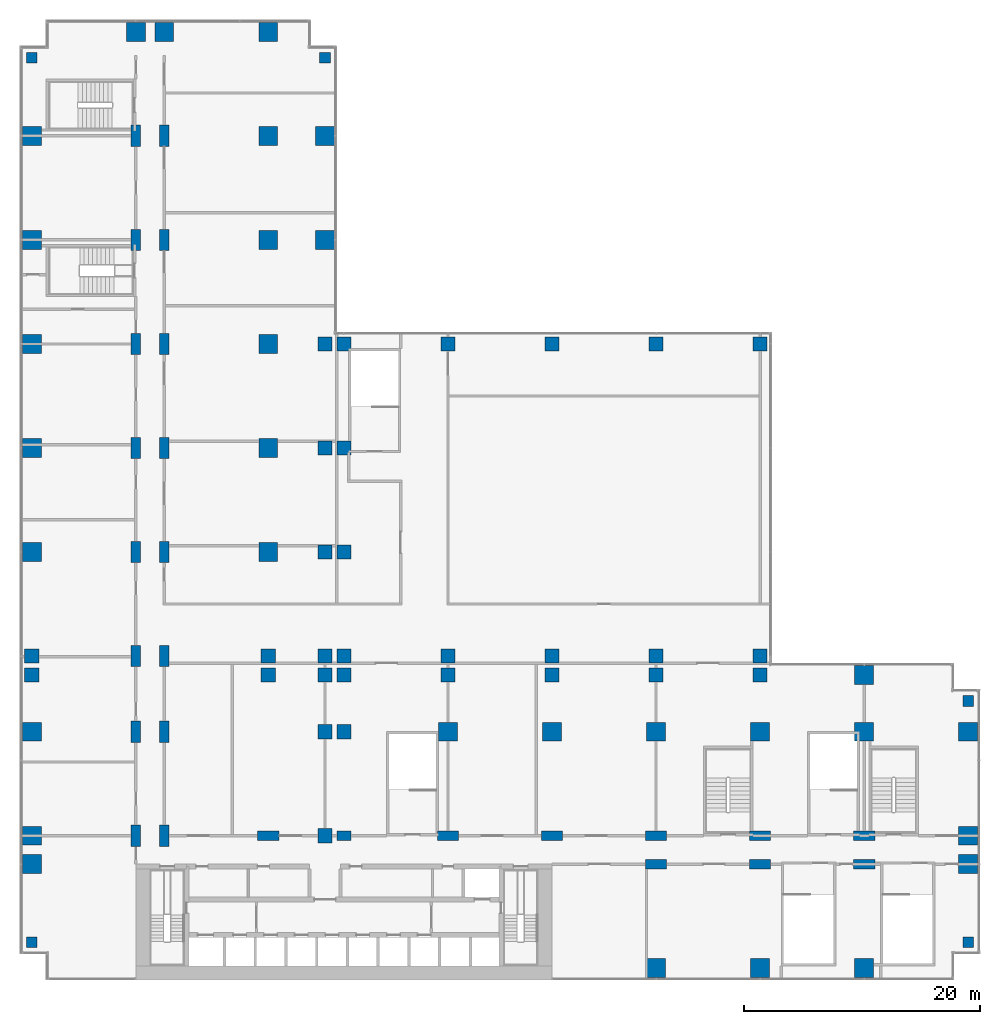
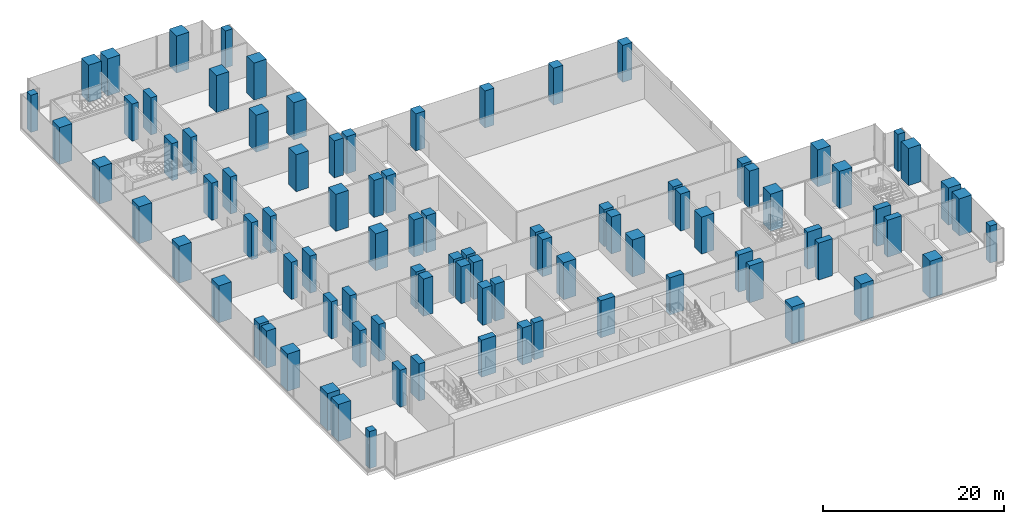
# One storey, part 1 of 27: 90 columns.
"""IFC4 building model written with IfcOpenShell, lengths in metres."""

from ifc_helpers import new_model, si_unit, direction, frame, origin, origin_2d, place, context, subcontext, project, spatial, rectangle, extrude, material, material_profile, profile_set, type_object, element, save


model = new_model("IFC4")

# Units and contexts
model_context = context("Model", 3, precision=1e-05, world=origin(), true_north=direction((0.0, 1.0)))
body_context = subcontext(model_context, "Body", "Model", "MODEL_VIEW")
ifc_project = project(units=[si_unit("LENGTHUNIT", "METRE"), si_unit("AREAUNIT", "SQUARE_METRE"), si_unit("VOLUMEUNIT", "CUBIC_METRE"), si_unit("PLANEANGLEUNIT", "RADIAN"), si_unit("MASSUNIT", "GRAM", prefix="KILO")], contexts=[model_context])

# Site, building, storey
site_placement = place(None, origin())
site = spatial("IfcSite", under=ifc_project, at=site_placement, CompositionType="ELEMENT")
building_placement = place(site_placement, origin())
building = spatial("IfcBuilding", under=site, at=building_placement, Name="Kemantara Hotel Tower", CompositionType="ELEMENT")
storey_placement = place(building_placement, frame((0.0, 0.0, 29.0)))
storey = spatial("IfcBuildingStorey", under=building, at=storey_placement, Name="L05", CompositionType="ELEMENT", Elevation=29.0)

# Columns
ifc_material = material(Name="Concrete fc 70 MPa", Category="concrete")
ifc_material_profile_1 = material_profile(ifc_material, rectangle(XDim=1.199951171875, YDim=1.199951171875, at=origin_2d()), Name="RC 1200X1200")
ifc_profile_set_1 = profile_set([ifc_material_profile_1], Name="Concrete fc 70 MPa")
column_type_1 = type_object("IfcColumnType", Name="RC COLUMN 1200X1200 FC70", PredefinedType="COLUMN", material=ifc_profile_set_1)
for number, where, z_axis, x_axis, name in (
    (1, (1.0, 25.800048828125, 0.0), (0.0, 0.0, 1.0), (1.0, 0.0, 0.0), "COLUMN 1/CA L05"),
    (2, (1.0, 27.39990234375, 0.0), (0.0, 0.0, 1.0), (1.0, 0.0, 0.0), "COLUMN 1/D L05"),
    (3, (21.0, 25.800048828125, 0.0), (0.0, 0.0, 1.0), (1.0, 0.0, 0.0), "COLUMN 3/CA L05"),
    (4, (21.0, 27.39990234375, 0.0), (0.0, 0.0, 1.0), (1.0, 0.0, 0.0), "COLUMN 3/D L05"),
    (5, (25.800048828125, 12.199951171875, 0.0), (0.0, 0.0, 1.0), (1.0, 0.0, 0.0), "COLUMN 3A/BA L05"),
    (6, (25.800048828125, 21.0, 0.0), (0.0, 0.0, 1.0), (1.0, 0.0, 0.0), "COLUMN 3A/C L05"),
    (7, (25.800048828125, 25.800048828125, 0.0), (0.0, 0.0, 1.0), (1.0, 0.0, 0.0), "COLUMN 3A/CA L05"),
    (8, (25.800048828125, 27.39990234375, 0.0), (0.0, 0.0, 1.0), (1.0, 0.0, 0.0), "COLUMN 3A/D L05"),
    (9, (25.800048828125, 36.199951171875, 0.0), (0.0, 0.0, 1.0), (1.0, 0.0, 0.0), "COLUMN 3A/E L05"),
    (10, (25.800048828125, 45.0, 0.0), (0.0, 0.0, 1.0), (1.0, 0.0, 0.0), "COLUMN 3A/F L05"),
    (11, (25.800048828125, 53.800048828125, 0.0), (0.0, 0.0, 1.0), (1.0, 0.0, 0.0), "COLUMN 3A/G L05"),
    (12, (27.39990234375, 21.0, 0.0), (0.0, 0.0, 1.0), (1.0, 0.0, 0.0), "COLUMN 4/C L05"),
    (13, (27.39990234375, 25.800048828125, 0.0), (0.0, 0.0, 1.0), (1.0, 0.0, 0.0), "COLUMN 4/CA L05"),
    (14, (36.199951171875, 25.800048828125, 0.0), (0.0, 0.0, 1.0), (1.0, 0.0, 0.0), "COLUMN 5/CA L05"),
    (15, (45.0, 25.800048828125, 0.0), (0.0, 0.0, 1.0), (1.0, 0.0, 0.0), "COLUMN 6/CA L05"),
    (16, (53.800048828125, 25.800048828125, 0.0), (0.0, 0.0, 1.0), (1.0, 0.0, 0.0), "COLUMN 7/CA L05"),
    (17, (62.60009765625, 25.800048828125, 0.0), (0.0, 0.0, 1.0), (1.0, 0.0, 0.0), "COLUMN 8/CA L05"),
    (18, (27.39990234375, 27.39990234375, 0.0), (0.0, 0.0, 1.0), (1.0, 0.0, 0.0), "COLUMN 4/D L05"),
    (19, (27.39990234375, 36.199951171875, 0.0), (0.0, 0.0, 1.0), (1.0, 0.0, 0.0), "COLUMN 4/E L05"),
    (20, (27.39990234375, 45.0, 0.0), (0.0, 0.0, 1.0), (1.0, 0.0, 0.0), "COLUMN 4/F L05"),
    (21, (27.39990234375, 53.800048828125, 0.0), (0.0, 0.0, 1.0), (1.0, 0.0, 0.0), "COLUMN 4/G L05"),
    (22, (36.199951171875, 27.39990234375, 0.0), (0.0, 0.0, 1.0), (1.0, 0.0, 0.0), "COLUMN 5/D L05"),
    (23, (36.199951171875, 53.800048828125, 0.0), (0.0, 0.0, 1.0), (1.0, 0.0, 0.0), "COLUMN 5/G L05"),
    (24, (45.0, 27.39990234375, 0.0), (0.0, 0.0, 1.0), (1.0, 0.0, 0.0), "COLUMN 6/D L05"),
    (25, (45.0, 53.800048828125, 0.0), (0.0, 0.0, 1.0), (1.0, 0.0, 0.0), "COLUMN 6/G L05"),
    (26, (53.800048828125, 27.39990234375, 0.0), (0.0, 0.0, 1.0), (1.0, 0.0, 0.0), "COLUMN 7/D L05"),
    (27, (53.800048828125, 53.800048828125, 0.0), (0.0, 0.0, 1.0), (1.0, 0.0, 0.0), "COLUMN 7/G L05"),
    (28, (62.60009765625, 27.39990234375, 0.0), (0.0, 0.0, 1.0), (1.0, 0.0, 0.0), "COLUMN 8/D L05"),
    (29, (62.60009765625, 53.800048828125, 0.0), (0.0, 0.0, 1.0), (1.0, 0.0, 0.0), "COLUMN 8/G L05"),
):
    element("IfcColumn", number, at=place(storey_placement, frame(where, z_axis=z_axis, x_axis=x_axis)), inside=storey, type_object=column_type_1, Name=name, PredefinedType="COLUMN", context=body_context, shape_type="SweptSolid", body=[
        extrude(rectangle(XDim=1.199951171875, YDim=1.199951171875, at=origin_2d()), origin(), (0.0, 0.0, 1.0), 5.0),
    ])
ifc_material_profile_2 = material_profile(ifc_material, rectangle(XDim=1.199951171875, YDim=0.800048828125, at=origin_2d()), Name="RC 1200X800")
ifc_profile_set_2 = profile_set([ifc_material_profile_2], Name="Concrete fc 70 MPa")
column_type_2 = type_object("IfcColumnType", Name="RC COLUMN 1200X800 FC70", PredefinedType="COLUMN", material=ifc_profile_set_2)
column_placement = place(storey_placement, frame((27.39990234375, 12.199951171875, 0.0), z_axis=(0.0, 0.0, 1.0), x_axis=(1.0, 0.0, 0.0)))
element("IfcColumn", 30, at=column_placement, inside=storey, type_object=column_type_2, Name="COLUMN 4/BA L05", PredefinedType="COLUMN", context=body_context, shape_type="SweptSolid", body=[
    extrude(rectangle(XDim=1.199951171875, YDim=0.800048828125, at=origin_2d()), origin(), (0.0, 0.0, 1.0), 5.0),
])
ifc_material_profile_3 = material_profile(ifc_material, rectangle(XDim=1.60009765625, YDim=1.60009765625, at=origin_2d()), Name="RC 1600X1600")
ifc_profile_set_3 = profile_set([ifc_material_profile_3], Name="Concrete fc 70 MPa")
column_type_3 = type_object("IfcColumnType", Name="RC COLUMN 1600X1600 FC70", PredefinedType="COLUMN", material=ifc_profile_set_3)
for number, where, z_axis, x_axis, name in (
    (31, (1.0, 9.800048828125, 0.0), (0.0, 0.0, 1.0), (1.0, 0.0, 0.0), "COLUMN 1/B L05"),
    (32, (1.0, 12.199951171875, 0.0), (0.0, 0.0, 1.0), (1.0, 0.0, 0.0), "COLUMN 1/BA L05"),
    (33, (1.0, 21.0, 0.0), (0.0, 0.0, 1.0), (1.0, 0.0, 0.0), "COLUMN 1/C L05"),
    (34, (1.0, 36.199951171875, 0.0), (0.0, 0.0, 1.0), (1.0, 0.0, 0.0), "COLUMN 1/E L05"),
    (35, (1.0, 45.0, 0.0), (0.0, 0.0, 1.0), (1.0, 0.0, 0.0), "COLUMN 1/F L05"),
    (36, (1.0, 53.800048828125, 0.0), (0.0, 0.0, 1.0), (1.0, 0.0, 0.0), "COLUMN 1/G L05"),
    (37, (1.0, 62.60009765625, 0.0), (0.0, 0.0, 1.0), (1.0, 0.0, 0.0), "COLUMN 1/H L05"),
    (38, (1.0, 71.39990234375, 0.0), (0.0, 0.0, 1.0), (1.0, 0.0, 0.0), "COLUMN 1/J L05"),
    (39, (9.800048828125, 80.199951171875, 0.0), (0.0, 0.0, 1.0), (1.0, 0.0, 0.0), "COLUMN 2/K L05"),
    (40, (12.199951171875, 80.199951171875, 0.0), (0.0, 0.0, 1.0), (1.0, 0.0, 0.0), "COLUMN 2A/K L05"),
    (41, (21.0, 36.199951171875, 0.0), (0.0, 0.0, 1.0), (1.0, 0.0, 0.0), "COLUMN 3/E L05"),
    (42, (21.0, 45.0, 0.0), (0.0, 0.0, 1.0), (1.0, 0.0, 0.0), "COLUMN 3/F L05"),
    (43, (21.0, 53.800048828125, 0.0), (0.0, 0.0, 1.0), (1.0, 0.0, 0.0), "COLUMN 3/G L05"),
    (44, (21.0, 62.60009765625, 0.0), (0.0, 0.0, 1.0), (1.0, 0.0, 0.0), "COLUMN 3/H L05"),
    (45, (21.0, 71.39990234375, 0.0), (0.0, 0.0, 1.0), (1.0, 0.0, 0.0), "COLUMN 3/J L05"),
    (46, (21.0, 80.199951171875, 0.0), (0.0, 0.0, 1.0), (1.0, 0.0, 0.0), "COLUMN 3/K L05"),
    (47, (25.800048828125, 62.60009765625, 0.0), (0.0, 0.0, 1.0), (1.0, 0.0, 0.0), "COLUMN 3A/H L05"),
    (48, (25.800048828125, 71.39990234375, 0.0), (0.0, 0.0, 1.0), (1.0, 0.0, 0.0), "COLUMN 3A/J L05"),
    (49, (36.199951171875, 21.0, 0.0), (0.0, 0.0, 1.0), (1.0, 0.0, 0.0), "COLUMN 5/C L05"),
    (50, (45.0, 21.0, 0.0), (0.0, 0.0, 1.0), (1.0, 0.0, 0.0), "COLUMN 6/C L05"),
    (51, (53.800048828125, 1.0, 0.0), (0.0, 0.0, 1.0), (1.0, 0.0, 0.0), "COLUMN 7/A L05"),
    (52, (53.800048828125, 21.0, 0.0), (0.0, 0.0, 1.0), (1.0, 0.0, 0.0), "COLUMN 7/C L05"),
    (53, (62.60009765625, 1.0, 0.0), (0.0, 0.0, 1.0), (1.0, 0.0, 0.0), "COLUMN 8/A L05"),
    (54, (62.60009765625, 21.0, 0.0), (0.0, 0.0, 1.0), (1.0, 0.0, 0.0), "COLUMN 8/C L05"),
    (55, (71.39990234375, 1.0, 0.0), (0.0, 0.0, 1.0), (1.0, 0.0, 0.0), "COLUMN 9/A L05"),
    (56, (71.39990234375, 21.0, 0.0), (0.0, 0.0, 1.0), (1.0, 0.0, 0.0), "COLUMN 9/C L05"),
    (57, (71.39990234375, 25.800048828125, 0.0), (0.0, 0.0, 1.0), (1.0, 0.0, 0.0), "COLUMN 9/CA L05"),
    (58, (80.199951171875, 9.800048828125, 0.0), (0.0, 0.0, 1.0), (1.0, 0.0, 0.0), "COLUMN 10/B L05"),
    (59, (80.199951171875, 12.199951171875, 0.0), (0.0, 0.0, 1.0), (1.0, 0.0, 0.0), "COLUMN 10/BA L05"),
    (60, (80.199951171875, 21.0, 0.0), (0.0, 0.0, 1.0), (1.0, 0.0, 0.0), "COLUMN 10/C L05"),
):
    element("IfcColumn", number, at=place(storey_placement, frame(where, z_axis=z_axis, x_axis=x_axis)), inside=storey, type_object=column_type_3, Name=name, PredefinedType="COLUMN", context=body_context, shape_type="SweptSolid", body=[
        extrude(rectangle(XDim=1.60009765625, YDim=1.60009765625, at=origin_2d()), origin(), (0.0, 0.0, 1.0), 5.0),
    ])
ifc_material_profile_4 = material_profile(ifc_material, rectangle(XDim=1.800048828125, YDim=0.800048828125, at=origin_2d()), Name="RC 1800X800")
ifc_profile_set_4 = profile_set([ifc_material_profile_4], Name="Concrete fc 70 MPa")
column_type_4 = type_object("IfcColumnType", Name="RC COLUMN 1800X800 FC70", PredefinedType="COLUMN", material=ifc_profile_set_4)
for number, where, z_axis, x_axis, name in (
    (61, (9.800048828125, 12.199951171875, 0.0), (0.0, 0.0, 1.0), (0.0, 1.0, 0.0), "COLUMN 2/BA L05"),
    (62, (9.800048828125, 21.0, 0.0), (0.0, 0.0, 1.0), (0.0, 1.0, 0.0), "COLUMN 2/C L05"),
    (63, (9.800048828125, 27.39990234375, 0.0), (0.0, 0.0, 1.0), (0.0, 1.0, 0.0), "COLUMN 2/D L05"),
    (64, (9.800048828125, 36.199951171875, 0.0), (0.0, 0.0, 1.0), (0.0, 1.0, 0.0), "COLUMN 2/E L05"),
    (65, (9.800048828125, 45.0, 0.0), (0.0, 0.0, 1.0), (0.0, 1.0, 0.0), "COLUMN 2/F L05"),
    (66, (9.800048828125, 53.800048828125, 0.0), (0.0, 0.0, 1.0), (0.0, 1.0, 0.0), "COLUMN 2/G L05"),
    (67, (9.800048828125, 62.60009765625, 0.0), (0.0, 0.0, 1.0), (0.0, 1.0, 0.0), "COLUMN 2/H L05"),
    (68, (9.800048828125, 71.39990234375, 0.0), (0.0, 0.0, 1.0), (0.0, 1.0, 0.0), "COLUMN 2/J L05"),
    (69, (12.199951171875, 12.199951171875, 0.0), (0.0, 0.0, 1.0), (0.0, 1.0, 0.0), "COLUMN 2A/BA L05"),
    (70, (12.199951171875, 21.0, 0.0), (0.0, 0.0, 1.0), (0.0, 1.0, 0.0), "COLUMN 2A/C L05"),
    (71, (12.199951171875, 27.39990234375, 0.0), (0.0, 0.0, 1.0), (0.0, 1.0, 0.0), "COLUMN 2A/D L05"),
    (72, (12.199951171875, 36.199951171875, 0.0), (0.0, 0.0, 1.0), (0.0, 1.0, 0.0), "COLUMN 2A/E L05"),
    (73, (12.199951171875, 45.0, 0.0), (0.0, 0.0, 1.0), (0.0, 1.0, 0.0), "COLUMN 2A/F L05"),
    (74, (12.199951171875, 53.800048828125, 0.0), (0.0, 0.0, 1.0), (0.0, 1.0, 0.0), "COLUMN 2A/G L05"),
    (75, (12.199951171875, 62.60009765625, 0.0), (0.0, 0.0, 1.0), (0.0, 1.0, 0.0), "COLUMN 2A/H L05"),
    (76, (12.199951171875, 71.39990234375, 0.0), (0.0, 0.0, 1.0), (0.0, 1.0, 0.0), "COLUMN 2A/J L05"),
    (77, (21.0, 12.199951171875, 0.0), (0.0, 0.0, 1.0), (1.0, 0.0, 0.0), "COLUMN 3/BA L05"),
    (78, (36.199951171875, 12.199951171875, 0.0), (0.0, 0.0, 1.0), (1.0, 0.0, 0.0), "COLUMN 5/BA L05"),
    (79, (45.0, 12.199951171875, 0.0), (0.0, 0.0, 1.0), (1.0, 0.0, 0.0), "COLUMN 6/BA L05"),
    (80, (53.800048828125, 9.800048828125, 0.0), (0.0, 0.0, 1.0), (1.0, 0.0, 0.0), "COLUMN 7/B L05"),
    (81, (53.800048828125, 12.199951171875, 0.0), (0.0, 0.0, 1.0), (1.0, 0.0, 0.0), "COLUMN 7/BA L05"),
    (82, (62.60009765625, 9.800048828125, 0.0), (0.0, 0.0, 1.0), (1.0, 0.0, 0.0), "COLUMN 8/B L05"),
    (83, (62.60009765625, 12.199951171875, 0.0), (0.0, 0.0, 1.0), (1.0, 0.0, 0.0), "COLUMN 8/BA L05"),
    (84, (71.39990234375, 9.800048828125, 0.0), (0.0, 0.0, 1.0), (1.0, 0.0, 0.0), "COLUMN 9/B L05"),
    (85, (71.39990234375, 12.199951171875, 0.0), (0.0, 0.0, 1.0), (1.0, 0.0, 0.0), "COLUMN 9/BA L05"),
):
    element("IfcColumn", number, at=place(storey_placement, frame(where, z_axis=z_axis, x_axis=x_axis)), inside=storey, type_object=column_type_4, Name=name, PredefinedType="COLUMN", context=body_context, shape_type="SweptSolid", body=[
        extrude(rectangle(XDim=1.800048828125, YDim=0.800048828125, at=origin_2d()), origin(), (0.0, 0.0, 1.0), 5.0),
    ])
ifc_material_profile_5 = material_profile(ifc_material, rectangle(XDim=0.89990234375, YDim=0.89990234375, at=origin_2d()), Name="RC 900X900")
ifc_profile_set_5 = profile_set([ifc_material_profile_5], Name="Concrete fc 70 MPa")
column_type_5 = type_object("IfcColumnType", Name="RC COLUMN 900X900 FC70", PredefinedType="COLUMN", material=ifc_profile_set_5)
for number, where, z_axis, x_axis, name in (
    (86, (1.0, 3.199951171875, 0.0), (0.0, 0.0, 1.0), (1.0, 0.0, 0.0), "COLUMN notch corner L05"),
    (87, (1.0, 78.0, 0.0), (0.0, 0.0, 1.0), (1.0, 0.0, 0.0), "COLUMN notch corner L05"),
    (88, (25.800048828125, 78.0, 0.0), (0.0, 0.0, 1.0), (1.0, 0.0, 0.0), "COLUMN notch corner L05"),
    (89, (80.199951171875, 3.199951171875, 0.0), (0.0, 0.0, 1.0), (1.0, 0.0, 0.0), "COLUMN notch corner L05"),
    (90, (80.199951171875, 23.60009765625, 0.0), (0.0, 0.0, 1.0), (1.0, 0.0, 0.0), "COLUMN notch corner L05"),
):
    element("IfcColumn", number, at=place(storey_placement, frame(where, z_axis=z_axis, x_axis=x_axis)), inside=storey, type_object=column_type_5, Name=name, PredefinedType="COLUMN", context=body_context, shape_type="SweptSolid", body=[
        extrude(rectangle(XDim=0.89990234375, YDim=0.89990234375, at=origin_2d()), origin(), (0.0, 0.0, 1.0), 5.0),
    ])

save(model, "model.ifc")
